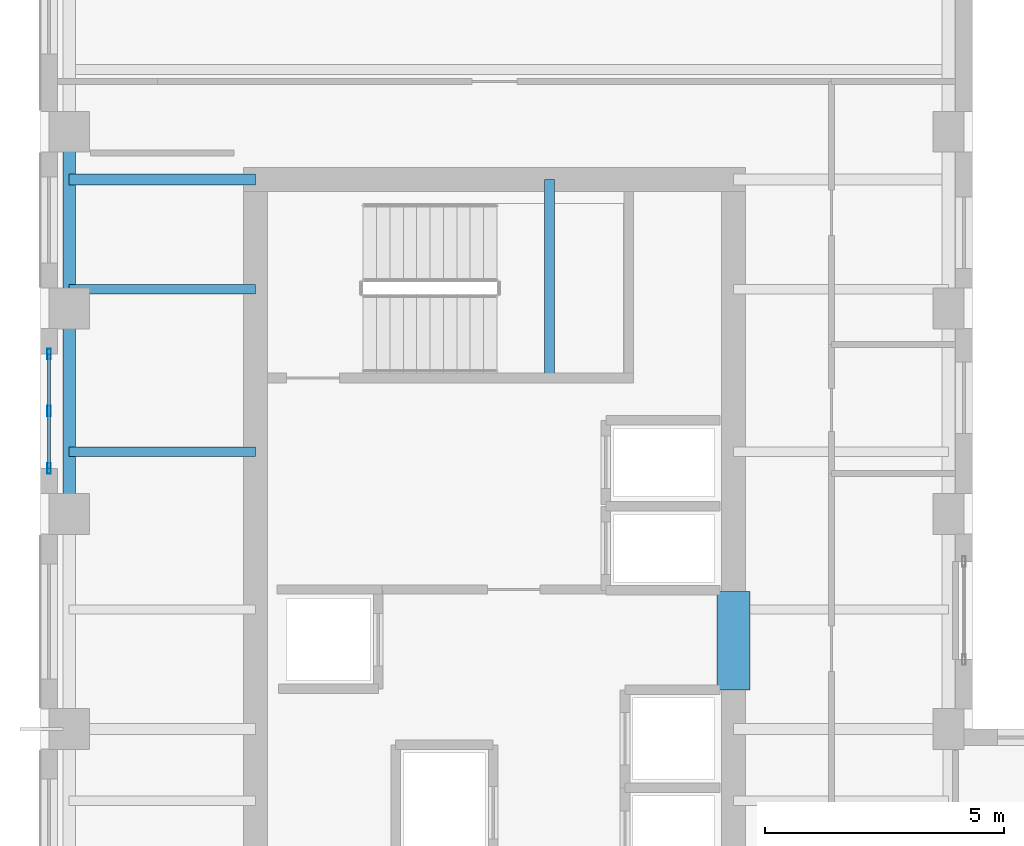
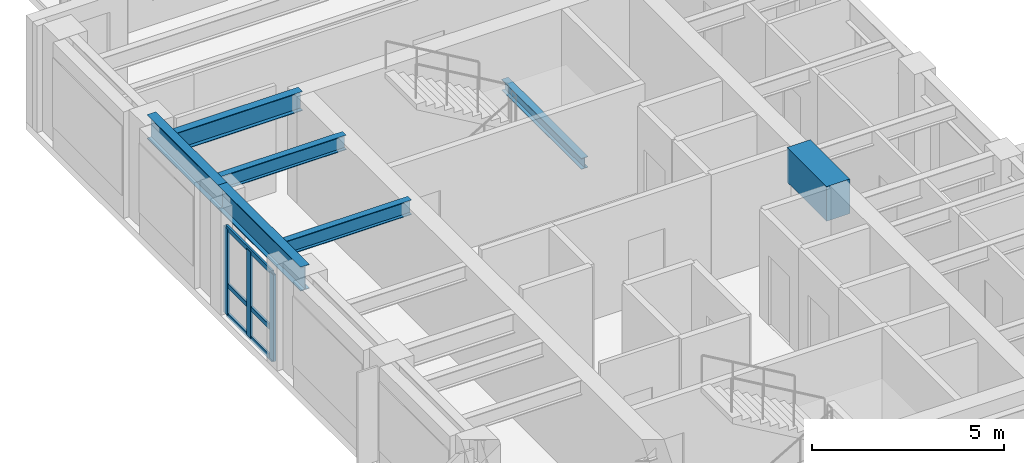
# One storey, part 2 of 14: 7 beams, 6 members, 1 element without a shape of its own.
"""IFC4 building model written with IfcOpenShell, lengths in metres."""

from ifc_helpers import new_model, si_unit, direction, frame, origin, origin_2d, place, context, subcontext, project, spatial, rectangle, hollow_rectangle, i_section, extrude, source, transform, mapped, material, layer, layer_set, material_profile, profile_set, type_object, element, aggregate, save


model = new_model("IFC4")

# Units and contexts
model_context = context("Model", 3, precision=1e-05, world=origin(), true_north=direction((0.0, 1.0)))
body_context = subcontext(model_context, "Body", "Model", "MODEL_VIEW")
ifc_project = project(units=[si_unit("LENGTHUNIT", "METRE"), si_unit("AREAUNIT", "SQUARE_METRE"), si_unit("VOLUMEUNIT", "CUBIC_METRE"), si_unit("PLANEANGLEUNIT", "RADIAN"), si_unit("MASSUNIT", "GRAM", prefix="KILO")], contexts=[model_context])

# Site, building, storey
site_placement = place(None, origin())
site = spatial("IfcSite", under=ifc_project, at=site_placement, CompositionType="ELEMENT")
building_placement = place(site_placement, origin())
building = spatial("IfcBuilding", under=site, at=building_placement, Name="Kharzan Plaza Tower", CompositionType="ELEMENT")
storey_placement = place(building_placement, frame((0.0, 0.0, 212.39990234375)))
storey = spatial("IfcBuildingStorey", under=building, at=storey_placement, Name="L57", CompositionType="ELEMENT", Elevation=212.39990234375)

# Beams
ifc_material_1 = material(Name="Concrete C60/75", Category="concrete")
ifc_material_profile_1 = material_profile(ifc_material_1, rectangle(XDim=0.699951171875, YDim=1.10009765625, at=origin_2d()), Name="RC-CB1100x700")
ifc_profile_set_1 = profile_set([ifc_material_profile_1], Name="Concrete C60/75")
beam_type_1 = type_object("IfcBeamType", Name="BM-RCCB1100", PredefinedType="LINTEL", material=ifc_profile_set_1)
shared_shape_1 = source(origin(), body_context, "Body", "SweptSolid", [
    extrude(rectangle(XDim=0.699951171875, YDim=1.10009765625, at=origin_2d()), origin(), (0.0, 0.0, 1.0), 2.059814453125),
])
beam_1_placement = place(storey_placement, frame((14.5, 18.820068359375, 2.85009765625), z_axis=(0.0, 1.0, 0.0), x_axis=(-1.0, 0.0, 0.0)))
element("IfcBeam", 1, at=beam_1_placement, inside=storey, type_object=beam_type_1, Name="L57 CORE-A RC coupling beam CB1", PredefinedType="LINTEL", context=body_context, shape_type="MappedRepresentation", body=[
    mapped(shared_shape_1, transform((0.0, 0.0, 0.0), x_axis=(1.0, 0.0, 0.0), y_axis=(0.0, 1.0, 0.0), z_axis=(0.0, 0.0, 1.0))),
])
ifc_material_2 = material(Name="Steel S355", Category="steel")
ifc_material_profile_2 = material_profile(ifc_material_2, i_section(OverallWidth=0.205078125, OverallDepth=0.35400390625, WebThickness=0.009521484375, FlangeThickness=0.016845703125, at=origin_2d()), Name="W360x79")
ifc_profile_set_2 = profile_set([ifc_material_profile_2], Name="Steel S355")
beam_type_2 = type_object("IfcBeamType", Name="BM-LNT360", PredefinedType="LINTEL", material=ifc_profile_set_2)
shared_shape_2 = source(origin(), body_context, "Body", "SweptSolid", [
    extrude(i_section(OverallWidth=0.205078125, OverallDepth=0.35400390625, WebThickness=0.009521484375, FlangeThickness=0.016845703125, at=origin_2d()), origin(), (0.0, 0.0, 1.0), 4.155029296875),
])
beam_2_placement = place(storey_placement, frame((10.64990234375, 25.344970703125, 1.423095703125), z_axis=(0.0, 1.0, 0.0), x_axis=(-1.0, 0.0, 0.0)))
element("IfcBeam", 2, at=beam_2_placement, inside=storey, type_object=beam_type_2, Name="L57 Stair ST-2 Half-Landing Beam", PredefinedType="LINTEL", context=body_context, shape_type="MappedRepresentation", body=[
    mapped(shared_shape_2, transform((0.0, 0.0, 0.0), x_axis=(1.0, 0.0, 0.0), y_axis=(0.0, 1.0, 0.0), z_axis=(0.0, 0.0, 1.0))),
])
ifc_material_profile_3 = material_profile(ifc_material_2, i_section(OverallWidth=0.194091796875, OverallDepth=0.468994140625, WebThickness=0.011474609375, FlangeThickness=0.0205078125, at=origin_2d()), Name="W460x106")
ifc_profile_set_3 = profile_set([ifc_material_profile_3], Name="Steel S355")
beam_type_3 = type_object("IfcBeamType", Name="BM-JST460", PredefinedType="JOIST", material=ifc_profile_set_3)
shared_shape_3 = source(origin(), body_context, "Body", "SweptSolid", [
    extrude(i_section(OverallWidth=0.194091796875, OverallDepth=0.468994140625, WebThickness=0.011474609375, FlangeThickness=0.0205078125, at=origin_2d()), origin(), (0.0, 0.0, 1.0), 3.89990234375),
])
for number, where, z_axis, x_axis, name in (
    (3, (0.60009765625, 23.800048828125, 3.16552734375), (1.0, 0.0, 0.0), (0.0, 1.0, 0.0), "L57 Wing A West Infill Joist 5"),
    (4, (0.60009765625, 27.199951171875, 3.16552734375), (1.0, 0.0, 0.0), (0.0, 1.0, 0.0), "L57 Wing A West Infill Joist 6"),
):
    element("IfcBeam", number, at=place(storey_placement, frame(where, z_axis=z_axis, x_axis=x_axis)), inside=storey, type_object=beam_type_3, Name=name, PredefinedType="JOIST", context=body_context, shape_type="MappedRepresentation", body=[
        mapped(shared_shape_3, transform((0.0, 0.0, 0.0), x_axis=(1.0, 0.0, 0.0), y_axis=(0.0, 1.0, 0.0), z_axis=(0.0, 0.0, 1.0))),
    ])

# Curtain wall, members
ifc_material_3 = material(Name="Unitised Bronze-Anodized Aluminium and Low-E Glass", Category="aluminium")
ifc_layer = layer(ifc_material_3, 0.199951171875)
ifc_layer_set = layer_set([ifc_layer], Name="Unitised Bronze-Anodized Aluminium and Low-E Glass")
curtain_wall_type = type_object("IfcCurtainWallType", Name="CW-SKY-4", PredefinedType="NOTDEFINED", material=ifc_layer_set)
curtain_wall_placement = place(storey_placement, origin())
curtain_wall = element("IfcCurtainWall", 5, at=curtain_wall_placement, inside=storey, type_object=curtain_wall_type, Name="L57 Sky-Lobby and Transfer Zone Feature Curtain Wall", PredefinedType="NOTDEFINED")
ifc_material_4 = material(Name="Anodized Bronze Aluminium", Category="aluminium")
ifc_material_profile_4 = material_profile(ifc_material_4, hollow_rectangle(XDim=0.06005859375, YDim=0.14990234375, WallThickness=0.00341796875, at=origin_2d()), Name="ALU-T150x60x3.5")
ifc_profile_set_4 = profile_set([ifc_material_profile_4], Name="Anodized Bronze Aluminium")
member_type_1 = type_object("IfcMemberType", Name="MEM-CW-TRN150", PredefinedType="USERDEFINED", material=ifc_profile_set_4)
shared_shape_4 = source(origin(), body_context, "Body", "SweptSolid", [
    extrude(hollow_rectangle(XDim=0.06005859375, YDim=0.14990234375, WallThickness=0.00341796875, at=origin_2d()), origin(), (0.0, 0.0, 1.0), 2.400146484375),
])
member_1_placement = place(storey_placement, frame((0.179931640625, 23.449951171875, 0.0), z_axis=(0.0, 1.0, 0.0), x_axis=(-1.0, 0.0, 0.0)))
member_1 = element("IfcMember", 6, at=member_1_placement, type_object=member_type_1, Name="L57 Curtain-Wall Transom 1", ObjectType="TRANSOM", PredefinedType="USERDEFINED", context=body_context, shape_type="MappedRepresentation", body=[
    mapped(shared_shape_4, transform((0.0, 0.0, 0.0), x_axis=(1.0, 0.0, 0.0), y_axis=(0.0, 1.0, 0.0), z_axis=(0.0, 0.0, 1.0))),
])
member_2_placement = place(storey_placement, frame((0.179931640625, 23.449951171875, 0.9501953125), z_axis=(0.0, 1.0, 0.0), x_axis=(-1.0, 0.0, 0.0)))
member_2 = element("IfcMember", 7, at=member_2_placement, type_object=member_type_1, Name="L57 Curtain-Wall Transom 2", ObjectType="TRANSOM", PredefinedType="USERDEFINED", context=body_context, shape_type="MappedRepresentation", body=[
    mapped(shared_shape_4, transform((0.0, 0.0, 0.0), x_axis=(1.0, 0.0, 0.0), y_axis=(0.0, 1.0, 0.0), z_axis=(0.0, 0.0, 1.0))),
])
member_3_placement = place(storey_placement, frame((0.179931640625, 23.449951171875, 2.75), z_axis=(0.0, 1.0, 0.0), x_axis=(-1.0, 0.0, 0.0)))
member_3 = element("IfcMember", 8, at=member_3_placement, type_object=member_type_1, Name="L57 Curtain-Wall Transom 3", ObjectType="TRANSOM", PredefinedType="USERDEFINED", context=body_context, shape_type="MappedRepresentation", body=[
    mapped(shared_shape_4, transform((0.0, 0.0, 0.0), x_axis=(1.0, 0.0, 0.0), y_axis=(0.0, 1.0, 0.0), z_axis=(0.0, 0.0, 1.0))),
])
ifc_material_profile_5 = material_profile(ifc_material_4, hollow_rectangle(XDim=0.074951171875, YDim=0.219970703125, WallThickness=0.00390625, at=origin_2d()), Name="ALU-M220x75x4")
ifc_profile_set_5 = profile_set([ifc_material_profile_5], Name="Anodized Bronze Aluminium")
member_type_2 = type_object("IfcMemberType", Name="MEM-CW-MUL200", PredefinedType="MULLION", material=ifc_profile_set_5)
shared_shape_5 = source(origin(), body_context, "Body", "SweptSolid", [
    extrude(hollow_rectangle(XDim=0.074951171875, YDim=0.219970703125, WallThickness=0.00390625, at=origin_2d()), origin(), (0.0, 0.0, 1.0), 2.75),
])
member_4_placement = place(storey_placement, frame((0.179931640625, 23.449951171875, 0.0), z_axis=(0.0, 0.0, 1.0), x_axis=(1.0, 0.0, 0.0)))
member_4 = element("IfcMember", 9, at=member_4_placement, type_object=member_type_2, Name="L57 Curtain-Wall Mullion 00", PredefinedType="MULLION", context=body_context, shape_type="MappedRepresentation", body=[
    mapped(shared_shape_5, transform((0.0, 0.0, 0.0), x_axis=(1.0, 0.0, 0.0), y_axis=(0.0, 1.0, 0.0), z_axis=(0.0, 0.0, 1.0))),
])
member_5_placement = place(storey_placement, frame((0.179931640625, 24.64990234375, 0.0), z_axis=(0.0, 0.0, 1.0), x_axis=(1.0, 0.0, 0.0)))
member_5 = element("IfcMember", 10, at=member_5_placement, type_object=member_type_2, Name="L57 Curtain-Wall Mullion 01", PredefinedType="MULLION", context=body_context, shape_type="MappedRepresentation", body=[
    mapped(shared_shape_5, transform((0.0, 0.0, 0.0), x_axis=(1.0, 0.0, 0.0), y_axis=(0.0, 1.0, 0.0), z_axis=(0.0, 0.0, 1.0))),
])
member_6_placement = place(storey_placement, frame((0.179931640625, 25.85009765625, 0.0), z_axis=(0.0, 0.0, 1.0), x_axis=(1.0, 0.0, 0.0)))
member_6 = element("IfcMember", 11, at=member_6_placement, type_object=member_type_2, Name="L57 Curtain-Wall Mullion 02", PredefinedType="MULLION", context=body_context, shape_type="MappedRepresentation", body=[
    mapped(shared_shape_5, transform((0.0, 0.0, 0.0), x_axis=(1.0, 0.0, 0.0), y_axis=(0.0, 1.0, 0.0), z_axis=(0.0, 0.0, 1.0))),
])
aggregate(curtain_wall, [member_4, member_5, member_6, member_1, member_2, member_3])

# Beams
ifc_material_profile_6 = material_profile(ifc_material_2, i_section(OverallWidth=0.22900390625, OverallDepth=0.612060546875, WebThickness=0.011962890625, FlangeThickness=0.01953125, at=origin_2d()), Name="W610x125")
ifc_profile_set_6 = profile_set([ifc_material_profile_6], Name="Steel S355")
beam_type_4 = type_object("IfcBeamType", Name="BM-FG610B", PredefinedType="BEAM", material=ifc_profile_set_6)
shared_shape_6 = source(origin(), body_context, "Body", "SweptSolid", [
    extrude(i_section(OverallWidth=0.22900390625, OverallDepth=0.612060546875, WebThickness=0.011962890625, FlangeThickness=0.01953125, at=origin_2d()), origin(), (0.0, 0.0, 1.0), 3.89990234375),
])
beam_3_placement = place(storey_placement, frame((0.60009765625, 29.5, 3.093994140625), z_axis=(1.0, 0.0, 0.0), x_axis=(0.0, 1.0, 0.0)))
element("IfcBeam", 12, at=beam_3_placement, inside=storey, type_object=beam_type_4, Name="L57 Core-A West Floor Girder 3", PredefinedType="BEAM", context=body_context, shape_type="MappedRepresentation", body=[
    mapped(shared_shape_6, transform((0.0, 0.0, 0.0), x_axis=(1.0, 0.0, 0.0), y_axis=(0.0, 1.0, 0.0), z_axis=(0.0, 0.0, 1.0))),
])
ifc_material_profile_7 = material_profile(ifc_material_2, i_section(OverallWidth=0.26708984375, OverallDepth=0.76611328125, WebThickness=0.014892578125, FlangeThickness=0.023681640625, at=origin_2d()), Name="W760x185")
ifc_profile_set_7 = profile_set([ifc_material_profile_7], Name="Steel S355")
beam_type_5 = type_object("IfcBeamType", Name="BM-SP760B", PredefinedType="SPANDREL", material=ifc_profile_set_7)
shared_shape_7 = source(origin(), body_context, "Body", "SweptSolid", [
    extrude(i_section(OverallWidth=0.26708984375, OverallDepth=0.76611328125, WebThickness=0.014892578125, FlangeThickness=0.023681640625, at=origin_2d()), origin(), (0.0, 0.0, 1.0), 4.300048828125),
])
beam_4_placement = place(storey_placement, frame((0.60009765625, 22.5, 3.01708984375), z_axis=(0.0, 1.0, 0.0), x_axis=(-1.0, 0.0, 0.0)))
element("IfcBeam", 13, at=beam_4_placement, inside=storey, type_object=beam_type_5, Name="L57 Perimeter Tube Spandrel", PredefinedType="SPANDREL", context=body_context, shape_type="MappedRepresentation", body=[
    mapped(shared_shape_7, transform((0.0, 0.0, 0.0), x_axis=(1.0, 0.0, 0.0), y_axis=(0.0, 1.0, 0.0), z_axis=(0.0, 0.0, 1.0))),
])
shared_shape_8 = source(origin(), body_context, "Body", "SweptSolid", [
    extrude(i_section(OverallWidth=0.26708984375, OverallDepth=0.76611328125, WebThickness=0.014892578125, FlangeThickness=0.023681640625, at=origin_2d()), origin(), (0.0, 0.0, 1.0), 3.699951171875),
])
beam_5_placement = place(storey_placement, frame((0.60009765625, 26.800048828125, 3.01708984375), z_axis=(0.0, 1.0, 0.0), x_axis=(-1.0, 0.0, 0.0)))
element("IfcBeam", 14, at=beam_5_placement, inside=storey, type_object=beam_type_5, Name="L57 Perimeter Tube Spandrel", PredefinedType="SPANDREL", context=body_context, shape_type="MappedRepresentation", body=[
    mapped(shared_shape_8, transform((0.0, 0.0, 0.0), x_axis=(1.0, 0.0, 0.0), y_axis=(0.0, 1.0, 0.0), z_axis=(0.0, 0.0, 1.0))),
])

save(model, "model.ifc")
